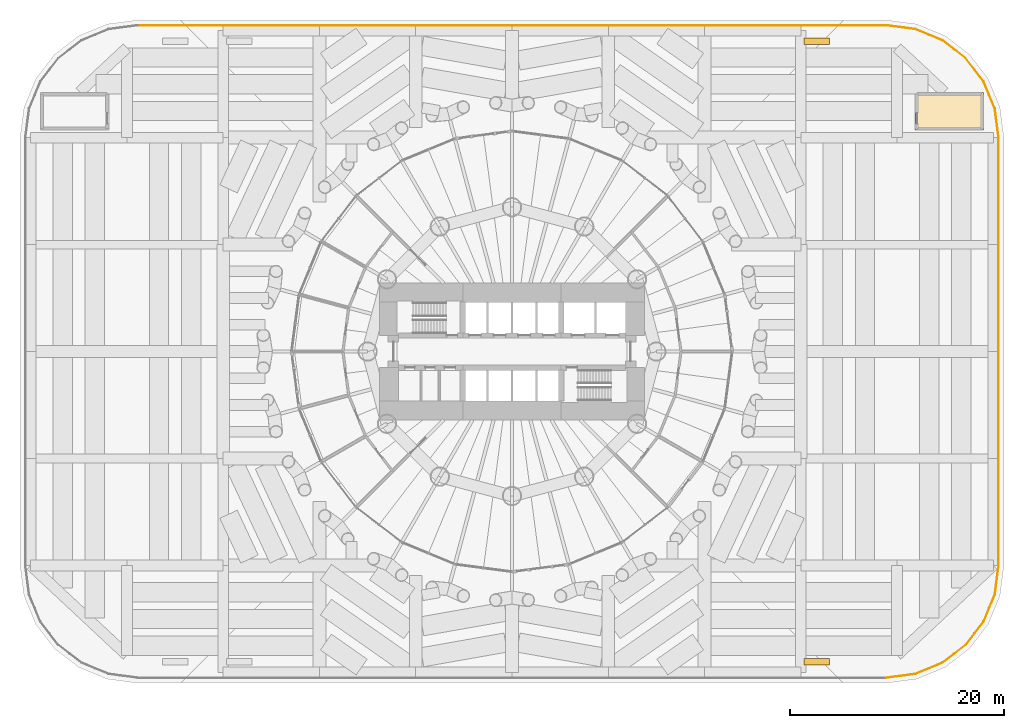
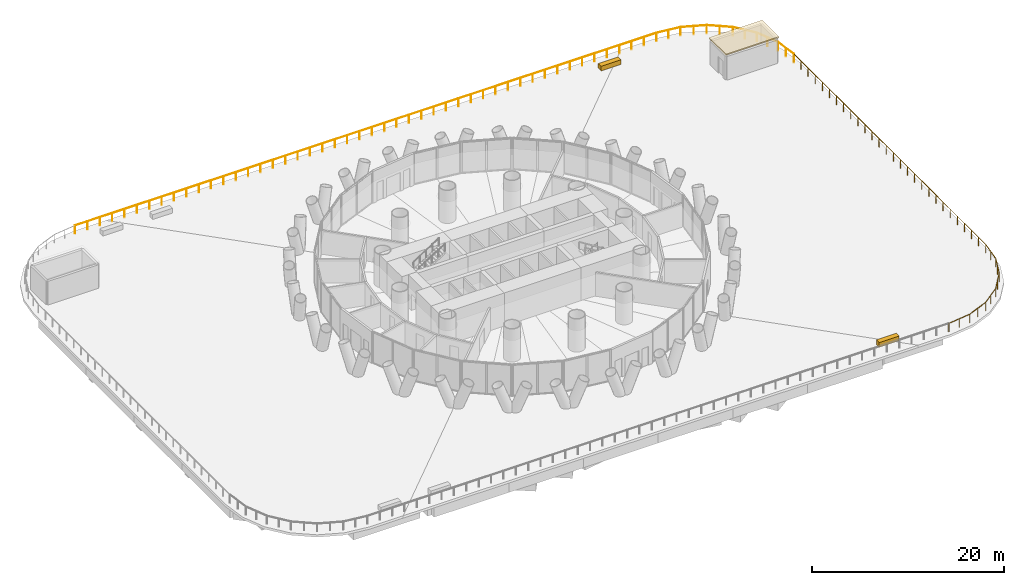
# One storey, part 19 of 19: 3 coverings, 2 railings.
"""IFC4 building model written with IfcOpenShell, lengths in metres."""

from ifc_helpers import new_model, si_unit, direction, frame, origin, origin_2d, place, context, subcontext, project, spatial, polyline, rectangle, circle, outline, extrude, material, layer, layer_set, type_object, element, save


model = new_model("IFC4")

# Units and contexts
model_context = context("Model", 3, precision=1e-05, world=origin(), true_north=direction((0.0, 1.0)))
body_context = subcontext(model_context, "Body", "Model", "MODEL_VIEW")
ifc_project = project(units=[si_unit("LENGTHUNIT", "METRE"), si_unit("AREAUNIT", "SQUARE_METRE"), si_unit("VOLUMEUNIT", "CUBIC_METRE"), si_unit("PLANEANGLEUNIT", "RADIAN"), si_unit("MASSUNIT", "GRAM", prefix="KILO")], contexts=[model_context])

# Site, building, storey
site_placement = place(None, origin())
site = spatial("IfcSite", under=ifc_project, at=site_placement, CompositionType="ELEMENT")
building_placement = place(site_placement, origin())
building = spatial("IfcBuilding", under=site, at=building_placement, Name="Qaws Media Tower", CompositionType="ELEMENT")
storey_placement = place(building_placement, frame((0.0, 0.0, 26.0)))
storey = spatial("IfcBuildingStorey", under=building, at=storey_placement, Name="L04", CompositionType="ELEMENT", Elevation=26.0)

# Railings
ifc_material_1 = material(Name="Stainless steel and glass guard", Category="steel")
railing_type = type_object("IfcRailingType", Name="Balcony guard 1100", PredefinedType="GUARDRAIL", material=ifc_material_1)
railing_1_placement = place(storey_placement, frame((95.0, 19.5, 0.0)))
element("IfcRailing", 1, at=railing_1_placement, inside=storey, type_object=railing_type, Name="GR1 roof garden guard 1", PredefinedType="GUARDRAIL", context=body_context, shape_type="SweptSolid", body=[
    extrude(circle(Radius=0.02392578125, at=origin_2d()), frame((0.0, 0.0, 1.076171875), z_axis=(0.991449747406, 0.130489073753, 0.0), x_axis=(-0.130489073753, 0.991449747406, 0.0)), (0.0, 0.0, 1.0), 2.740966796875),
    extrude(circle(Radius=0.02392578125, at=origin_2d()), frame((2.717529296875, 0.357666015625, 1.076171875), z_axis=(0.923868110443, 0.382711006514, 0.0), x_axis=(-0.382711006514, 0.923868110443, 0.0)), (0.0, 0.0, 1.0), 2.7412109375),
    extrude(circle(Radius=0.02392578125, at=origin_2d()), frame((5.25, 1.40673828125, 1.076171875), z_axis=(0.793335336593, 0.608784891166, 0.0), x_axis=(-0.608784891166, 0.793335336593, 0.0)), (0.0, 0.0, 1.0), 2.740966796875),
    extrude(circle(Radius=0.02392578125, at=origin_2d()), frame((7.424560546875, 3.075439453125, 1.076171875), z_axis=(0.608784891166, 0.793335336593, 0.0), x_axis=(-0.793335336593, 0.608784891166, 0.0)), (0.0, 0.0, 1.0), 2.740966796875),
    extrude(circle(Radius=0.02392578125, at=origin_2d()), frame((9.09326171875, 5.25, 1.076171875), z_axis=(0.382711006514, 0.923868110443, 0.0), x_axis=(-0.923868110443, 0.382711006514, 0.0)), (0.0, 0.0, 1.0), 2.7412109375),
    extrude(circle(Radius=0.02392578125, at=origin_2d()), frame((10.142333984375, 7.782470703125, 1.076171875), z_axis=(0.130489073753, 0.991449747406, 0.0), x_axis=(-0.991449747406, 0.130489073753, 0.0)), (0.0, 0.0, 1.0), 2.740966796875),
    extrude(circle(Radius=0.02392578125, at=origin_2d()), frame((10.5, 10.5, 1.076171875), z_axis=(0.0, 1.0, 0.0), x_axis=(-1.0, 0.0, 0.0)), (0.0, 0.0, 1.0), 40.0),
    extrude(circle(Radius=0.02099609375, at=origin_2d()), origin(), (0.0, 0.0, 1.0), 1.052001953125),
    extrude(circle(Radius=0.02099609375, at=origin_2d()), frame((1.35888671875, 0.1787109375, 0.0)), (0.0, 0.0, 1.0), 1.052001953125),
    extrude(circle(Radius=0.02099609375, at=origin_2d()), frame((2.717529296875, 0.357666015625, 0.0)), (0.0, 0.0, 1.0), 1.052001953125),
    extrude(circle(Radius=0.02099609375, at=origin_2d()), frame((3.98388671875, 0.88232421875, 0.0)), (0.0, 0.0, 1.0), 1.052001953125),
    extrude(circle(Radius=0.02099609375, at=origin_2d()), frame((5.25, 1.40673828125, 0.0)), (0.0, 0.0, 1.0), 1.052001953125),
    extrude(circle(Radius=0.02099609375, at=origin_2d()), frame((6.33740234375, 2.2412109375, 0.0)), (0.0, 0.0, 1.0), 1.052001953125),
    extrude(circle(Radius=0.02099609375, at=origin_2d()), frame((7.424560546875, 3.075439453125, 0.0)), (0.0, 0.0, 1.0), 1.052001953125),
    extrude(circle(Radius=0.02099609375, at=origin_2d()), frame((8.2587890625, 4.16259765625, 0.0)), (0.0, 0.0, 1.0), 1.052001953125),
    extrude(circle(Radius=0.02099609375, at=origin_2d()), frame((9.09326171875, 5.25, 0.0)), (0.0, 0.0, 1.0), 1.052001953125),
    extrude(circle(Radius=0.02099609375, at=origin_2d()), frame((9.61767578125, 6.51611328125, 0.0)), (0.0, 0.0, 1.0), 1.052001953125),
    extrude(circle(Radius=0.02099609375, at=origin_2d()), frame((10.142333984375, 7.782470703125, 0.0)), (0.0, 0.0, 1.0), 1.052001953125),
    extrude(circle(Radius=0.02099609375, at=origin_2d()), frame((10.3212890625, 9.14111328125, 0.0)), (0.0, 0.0, 1.0), 1.052001953125),
    extrude(circle(Radius=0.02099609375, at=origin_2d()), frame((10.5, 10.5, 0.0)), (0.0, 0.0, 1.0), 1.052001953125),
    extrude(circle(Radius=0.02099609375, at=origin_2d()), frame((10.5, 11.9814453125, 0.0)), (0.0, 0.0, 1.0), 1.052001953125),
    extrude(circle(Radius=0.02099609375, at=origin_2d()), frame((10.5, 13.462890625, 0.0)), (0.0, 0.0, 1.0), 1.052001953125),
    extrude(circle(Radius=0.02099609375, at=origin_2d()), frame((10.5, 14.9443359375, 0.0)), (0.0, 0.0, 1.0), 1.052001953125),
    extrude(circle(Radius=0.02099609375, at=origin_2d()), frame((10.5, 16.426025390625, 0.0)), (0.0, 0.0, 1.0), 1.052001953125),
    extrude(circle(Radius=0.02099609375, at=origin_2d()), frame((10.5, 17.907470703125, 0.0)), (0.0, 0.0, 1.0), 1.052001953125),
    extrude(circle(Radius=0.02099609375, at=origin_2d()), frame((10.5, 19.388916015625, 0.0)), (0.0, 0.0, 1.0), 1.052001953125),
    extrude(circle(Radius=0.02099609375, at=origin_2d()), frame((10.5, 20.870361328125, 0.0)), (0.0, 0.0, 1.0), 1.052001953125),
    extrude(circle(Radius=0.02099609375, at=origin_2d()), frame((10.5, 22.351806640625, 0.0)), (0.0, 0.0, 1.0), 1.052001953125),
    extrude(circle(Radius=0.02099609375, at=origin_2d()), frame((10.5, 23.833251953125, 0.0)), (0.0, 0.0, 1.0), 1.052001953125),
    extrude(circle(Radius=0.02099609375, at=origin_2d()), frame((10.5, 25.314697265625, 0.0)), (0.0, 0.0, 1.0), 1.052001953125),
    extrude(circle(Radius=0.02099609375, at=origin_2d()), frame((10.5, 26.79638671875, 0.0)), (0.0, 0.0, 1.0), 1.052001953125),
    extrude(circle(Radius=0.02099609375, at=origin_2d()), frame((10.5, 28.27783203125, 0.0)), (0.0, 0.0, 1.0), 1.052001953125),
    extrude(circle(Radius=0.02099609375, at=origin_2d()), frame((10.5, 29.75927734375, 0.0)), (0.0, 0.0, 1.0), 1.052001953125),
    extrude(circle(Radius=0.02099609375, at=origin_2d()), frame((10.5, 31.24072265625, 0.0)), (0.0, 0.0, 1.0), 1.052001953125),
    extrude(circle(Radius=0.02099609375, at=origin_2d()), frame((10.5, 32.72216796875, 0.0)), (0.0, 0.0, 1.0), 1.052001953125),
    extrude(circle(Radius=0.02099609375, at=origin_2d()), frame((10.5, 34.20361328125, 0.0)), (0.0, 0.0, 1.0), 1.052001953125),
    extrude(circle(Radius=0.02099609375, at=origin_2d()), frame((10.5, 35.685302734375, 0.0)), (0.0, 0.0, 1.0), 1.052001953125),
    extrude(circle(Radius=0.02099609375, at=origin_2d()), frame((10.5, 37.166748046875, 0.0)), (0.0, 0.0, 1.0), 1.052001953125),
    extrude(circle(Radius=0.02099609375, at=origin_2d()), frame((10.5, 38.648193359375, 0.0)), (0.0, 0.0, 1.0), 1.052001953125),
    extrude(circle(Radius=0.02099609375, at=origin_2d()), frame((10.5, 40.129638671875, 0.0)), (0.0, 0.0, 1.0), 1.052001953125),
    extrude(circle(Radius=0.02099609375, at=origin_2d()), frame((10.5, 41.611083984375, 0.0)), (0.0, 0.0, 1.0), 1.052001953125),
    extrude(circle(Radius=0.02099609375, at=origin_2d()), frame((10.5, 43.092529296875, 0.0)), (0.0, 0.0, 1.0), 1.052001953125),
    extrude(circle(Radius=0.02099609375, at=origin_2d()), frame((10.5, 44.573974609375, 0.0)), (0.0, 0.0, 1.0), 1.052001953125),
    extrude(circle(Radius=0.02099609375, at=origin_2d()), frame((10.5, 46.0556640625, 0.0)), (0.0, 0.0, 1.0), 1.052001953125),
    extrude(circle(Radius=0.02099609375, at=origin_2d()), frame((10.5, 47.537109375, 0.0)), (0.0, 0.0, 1.0), 1.052001953125),
    extrude(circle(Radius=0.02099609375, at=origin_2d()), frame((10.5, 49.0185546875, 0.0)), (0.0, 0.0, 1.0), 1.052001953125),
    extrude(circle(Radius=0.02099609375, at=origin_2d()), frame((10.5, 50.5, 0.0)), (0.0, 0.0, 1.0), 1.052001953125),
])
railing_2_placement = place(storey_placement, frame((105.5, 70.0, 0.0)))
element("IfcRailing", 2, at=railing_2_placement, inside=storey, type_object=railing_type, Name="GR1 roof garden guard 2", PredefinedType="GUARDRAIL", context=body_context, shape_type="SweptSolid", body=[
    extrude(circle(Radius=0.02392578125, at=origin_2d()), frame((0.0, 0.0, 1.076171875), z_axis=(-0.130489073753, 0.991449747406, 0.0), x_axis=(-0.991449747406, -0.130489073753, 0.0)), (0.0, 0.0, 1.0), 2.740966796875),
    extrude(circle(Radius=0.02392578125, at=origin_2d()), frame((-0.357666015625, 2.717529296875, 1.076171875), z_axis=(-0.382711006514, 0.923868110443, 0.0), x_axis=(-0.923868110443, -0.382711006514, 0.0)), (0.0, 0.0, 1.0), 2.7412109375),
    extrude(circle(Radius=0.02392578125, at=origin_2d()), frame((-1.40673828125, 5.25, 1.076171875), z_axis=(-0.608784891166, 0.793335336593, 0.0), x_axis=(-0.793335336593, -0.608784891166, 0.0)), (0.0, 0.0, 1.0), 2.740966796875),
    extrude(circle(Radius=0.02392578125, at=origin_2d()), frame((-3.075439453125, 7.424560546875, 1.076171875), z_axis=(-0.793335336593, 0.608784891166, 0.0), x_axis=(-0.608784891166, -0.793335336593, 0.0)), (0.0, 0.0, 1.0), 2.740966796875),
    extrude(circle(Radius=0.02392578125, at=origin_2d()), frame((-5.25, 9.09326171875, 1.076171875), z_axis=(-0.923868110443, 0.382711006514, 0.0), x_axis=(-0.382711006514, -0.923868110443, 0.0)), (0.0, 0.0, 1.0), 2.7412109375),
    extrude(circle(Radius=0.02392578125, at=origin_2d()), frame((-7.782470703125, 10.142333984375, 1.076171875), z_axis=(-0.991449747406, 0.130489073753, 0.0), x_axis=(-0.130489073753, -0.991449747406, 0.0)), (0.0, 0.0, 1.0), 2.740966796875),
    extrude(circle(Radius=0.02392578125, at=origin_2d()), frame((-10.5, 10.5, 1.076171875), z_axis=(-1.0, 0.0, 0.0), x_axis=(0.0, -1.0, 0.0)), (0.0, 0.0, 1.0), 70.0),
    extrude(circle(Radius=0.02099609375, at=origin_2d()), origin(), (0.0, 0.0, 1.0), 1.052001953125),
    extrude(circle(Radius=0.02099609375, at=origin_2d()), frame((-0.1787109375, 1.35888671875, 0.0)), (0.0, 0.0, 1.0), 1.052001953125),
    extrude(circle(Radius=0.02099609375, at=origin_2d()), frame((-0.357666015625, 2.717529296875, 0.0)), (0.0, 0.0, 1.0), 1.052001953125),
    extrude(circle(Radius=0.02099609375, at=origin_2d()), frame((-0.88232421875, 3.98388671875, 0.0)), (0.0, 0.0, 1.0), 1.052001953125),
    extrude(circle(Radius=0.02099609375, at=origin_2d()), frame((-1.40673828125, 5.25, 0.0)), (0.0, 0.0, 1.0), 1.052001953125),
    extrude(circle(Radius=0.02099609375, at=origin_2d()), frame((-2.2412109375, 6.33740234375, 0.0)), (0.0, 0.0, 1.0), 1.052001953125),
    extrude(circle(Radius=0.02099609375, at=origin_2d()), frame((-3.075439453125, 7.424560546875, 0.0)), (0.0, 0.0, 1.0), 1.052001953125),
    extrude(circle(Radius=0.02099609375, at=origin_2d()), frame((-4.16259765625, 8.2587890625, 0.0)), (0.0, 0.0, 1.0), 1.052001953125),
    extrude(circle(Radius=0.02099609375, at=origin_2d()), frame((-5.25, 9.09326171875, 0.0)), (0.0, 0.0, 1.0), 1.052001953125),
    extrude(circle(Radius=0.02099609375, at=origin_2d()), frame((-6.51611328125, 9.61767578125, 0.0)), (0.0, 0.0, 1.0), 1.052001953125),
    extrude(circle(Radius=0.02099609375, at=origin_2d()), frame((-7.782470703125, 10.142333984375, 0.0)), (0.0, 0.0, 1.0), 1.052001953125),
    extrude(circle(Radius=0.02099609375, at=origin_2d()), frame((-9.14111328125, 10.3212890625, 0.0)), (0.0, 0.0, 1.0), 1.052001953125),
    extrude(circle(Radius=0.02099609375, at=origin_2d()), frame((-10.5, 10.5, 0.0)), (0.0, 0.0, 1.0), 1.052001953125),
    extrude(circle(Radius=0.02099609375, at=origin_2d()), frame((-11.9892578125, 10.5, 0.0)), (0.0, 0.0, 1.0), 1.052001953125),
    extrude(circle(Radius=0.02099609375, at=origin_2d()), frame((-13.478759765625, 10.5, 0.0)), (0.0, 0.0, 1.0), 1.052001953125),
    extrude(circle(Radius=0.02099609375, at=origin_2d()), frame((-14.968017578125, 10.5, 0.0)), (0.0, 0.0, 1.0), 1.052001953125),
    extrude(circle(Radius=0.02099609375, at=origin_2d()), frame((-16.45751953125, 10.5, 0.0)), (0.0, 0.0, 1.0), 1.052001953125),
    extrude(circle(Radius=0.02099609375, at=origin_2d()), frame((-17.94677734375, 10.5, 0.0)), (0.0, 0.0, 1.0), 1.052001953125),
    extrude(circle(Radius=0.02099609375, at=origin_2d()), frame((-19.436279296875, 10.5, 0.0)), (0.0, 0.0, 1.0), 1.052001953125),
    extrude(circle(Radius=0.02099609375, at=origin_2d()), frame((-20.925537109375, 10.5, 0.0)), (0.0, 0.0, 1.0), 1.052001953125),
    extrude(circle(Radius=0.02099609375, at=origin_2d()), frame((-22.414794921875, 10.5, 0.0)), (0.0, 0.0, 1.0), 1.052001953125),
    extrude(circle(Radius=0.02099609375, at=origin_2d()), frame((-23.904296875, 10.5, 0.0)), (0.0, 0.0, 1.0), 1.052001953125),
    extrude(circle(Radius=0.02099609375, at=origin_2d()), frame((-25.3935546875, 10.5, 0.0)), (0.0, 0.0, 1.0), 1.052001953125),
    extrude(circle(Radius=0.02099609375, at=origin_2d()), frame((-26.883056640625, 10.5, 0.0)), (0.0, 0.0, 1.0), 1.052001953125),
    extrude(circle(Radius=0.02099609375, at=origin_2d()), frame((-28.372314453125, 10.5, 0.0)), (0.0, 0.0, 1.0), 1.052001953125),
    extrude(circle(Radius=0.02099609375, at=origin_2d()), frame((-29.86181640625, 10.5, 0.0)), (0.0, 0.0, 1.0), 1.052001953125),
    extrude(circle(Radius=0.02099609375, at=origin_2d()), frame((-31.35107421875, 10.5, 0.0)), (0.0, 0.0, 1.0), 1.052001953125),
    extrude(circle(Radius=0.02099609375, at=origin_2d()), frame((-32.84033203125, 10.5, 0.0)), (0.0, 0.0, 1.0), 1.052001953125),
    extrude(circle(Radius=0.02099609375, at=origin_2d()), frame((-34.329833984375, 10.5, 0.0)), (0.0, 0.0, 1.0), 1.052001953125),
    extrude(circle(Radius=0.02099609375, at=origin_2d()), frame((-35.819091796875, 10.5, 0.0)), (0.0, 0.0, 1.0), 1.052001953125),
    extrude(circle(Radius=0.02099609375, at=origin_2d()), frame((-37.30859375, 10.5, 0.0)), (0.0, 0.0, 1.0), 1.052001953125),
    extrude(circle(Radius=0.02099609375, at=origin_2d()), frame((-38.7978515625, 10.5, 0.0)), (0.0, 0.0, 1.0), 1.052001953125),
    extrude(circle(Radius=0.02099609375, at=origin_2d()), frame((-40.287353515625, 10.5, 0.0)), (0.0, 0.0, 1.0), 1.052001953125),
    extrude(circle(Radius=0.02099609375, at=origin_2d()), frame((-41.776611328125, 10.5, 0.0)), (0.0, 0.0, 1.0), 1.052001953125),
    extrude(circle(Radius=0.02099609375, at=origin_2d()), frame((-43.265869140625, 10.5, 0.0)), (0.0, 0.0, 1.0), 1.052001953125),
    extrude(circle(Radius=0.02099609375, at=origin_2d()), frame((-44.75537109375, 10.5, 0.0)), (0.0, 0.0, 1.0), 1.052001953125),
    extrude(circle(Radius=0.02099609375, at=origin_2d()), frame((-46.24462890625, 10.5, 0.0)), (0.0, 0.0, 1.0), 1.052001953125),
    extrude(circle(Radius=0.02099609375, at=origin_2d()), frame((-47.734130859375, 10.5, 0.0)), (0.0, 0.0, 1.0), 1.052001953125),
    extrude(circle(Radius=0.02099609375, at=origin_2d()), frame((-49.223388671875, 10.5, 0.0)), (0.0, 0.0, 1.0), 1.052001953125),
    extrude(circle(Radius=0.02099609375, at=origin_2d()), frame((-50.712646484375, 10.5, 0.0)), (0.0, 0.0, 1.0), 1.052001953125),
    extrude(circle(Radius=0.02099609375, at=origin_2d()), frame((-52.2021484375, 10.5, 0.0)), (0.0, 0.0, 1.0), 1.052001953125),
    extrude(circle(Radius=0.02099609375, at=origin_2d()), frame((-53.69140625, 10.5, 0.0)), (0.0, 0.0, 1.0), 1.052001953125),
    extrude(circle(Radius=0.02099609375, at=origin_2d()), frame((-55.180908203125, 10.5, 0.0)), (0.0, 0.0, 1.0), 1.052001953125),
    extrude(circle(Radius=0.02099609375, at=origin_2d()), frame((-56.670166015625, 10.5, 0.0)), (0.0, 0.0, 1.0), 1.052001953125),
    extrude(circle(Radius=0.02099609375, at=origin_2d()), frame((-58.15966796875, 10.5, 0.0)), (0.0, 0.0, 1.0), 1.052001953125),
    extrude(circle(Radius=0.02099609375, at=origin_2d()), frame((-59.64892578125, 10.5, 0.0)), (0.0, 0.0, 1.0), 1.052001953125),
    extrude(circle(Radius=0.02099609375, at=origin_2d()), frame((-61.13818359375, 10.5, 0.0)), (0.0, 0.0, 1.0), 1.052001953125),
    extrude(circle(Radius=0.02099609375, at=origin_2d()), frame((-62.627685546875, 10.5, 0.0)), (0.0, 0.0, 1.0), 1.052001953125),
    extrude(circle(Radius=0.02099609375, at=origin_2d()), frame((-64.116943359375, 10.5, 0.0)), (0.0, 0.0, 1.0), 1.052001953125),
    extrude(circle(Radius=0.02099609375, at=origin_2d()), frame((-65.6064453125, 10.5, 0.0)), (0.0, 0.0, 1.0), 1.052001953125),
    extrude(circle(Radius=0.02099609375, at=origin_2d()), frame((-67.095703125, 10.5, 0.0)), (0.0, 0.0, 1.0), 1.052001953125),
    extrude(circle(Radius=0.02099609375, at=origin_2d()), frame((-68.585205078125, 10.5, 0.0)), (0.0, 0.0, 1.0), 1.052001953125),
    extrude(circle(Radius=0.02099609375, at=origin_2d()), frame((-70.074462890625, 10.5, 0.0)), (0.0, 0.0, 1.0), 1.052001953125),
    extrude(circle(Radius=0.02099609375, at=origin_2d()), frame((-71.563720703125, 10.5, 0.0)), (0.0, 0.0, 1.0), 1.052001953125),
    extrude(circle(Radius=0.02099609375, at=origin_2d()), frame((-73.05322265625, 10.5, 0.0)), (0.0, 0.0, 1.0), 1.052001953125),
    extrude(circle(Radius=0.02099609375, at=origin_2d()), frame((-74.54248046875, 10.5, 0.0)), (0.0, 0.0, 1.0), 1.052001953125),
    extrude(circle(Radius=0.02099609375, at=origin_2d()), frame((-76.031982421875, 10.5, 0.0)), (0.0, 0.0, 1.0), 1.052001953125),
    extrude(circle(Radius=0.02099609375, at=origin_2d()), frame((-77.521240234375, 10.5, 0.0)), (0.0, 0.0, 1.0), 1.052001953125),
    extrude(circle(Radius=0.02099609375, at=origin_2d()), frame((-79.0107421875, 10.5, 0.0)), (0.0, 0.0, 1.0), 1.052001953125),
    extrude(circle(Radius=0.02099609375, at=origin_2d()), frame((-80.5, 10.5, 0.0)), (0.0, 0.0, 1.0), 1.052001953125),
])

# Coverings
ifc_material_2 = material(Name="Single-ply membrane on 100 PIR insulation on vapour control layer", Category="membrane")
ifc_layer_1 = layer(ifc_material_2, 0.14990234375)
ifc_layer_set_1 = layer_set([ifc_layer_1], Name="Head-house roofing 150")
covering_type_1 = type_object("IfcCoveringType", Name="Head-house roofing 150", PredefinedType="ROOFING", material=ifc_layer_set_1)
covering_placement = place(storey_placement, frame((0.0, 0.0, 3.199951171875)))
element("IfcCovering", 3, at=covering_placement, inside=storey, type_object=covering_type_1, Name="RF2 stair S4 head-house roofing", PredefinedType="ROOFING", context=body_context, shape_type="SweptSolid", body=[
    extrude(outline(polyline([(97.699951171875, 70.699951171875), (104.10009765625, 70.699951171875), (104.10009765625, 74.199951171875), (97.699951171875, 74.199951171875), (97.699951171875, 70.699951171875)])), origin(), (0.0, 0.0, 1.0), 0.150146484375),
])
ifc_material_3 = material(Name="Precast concrete planter with trailing planting", Category="concrete")
ifc_layer_2 = layer(ifc_material_3, 0.60009765625)
ifc_layer_set_2 = layer_set([ifc_layer_2], Name="Planter 2400x600")
covering_type_2 = type_object("IfcCoveringType", Name="Planter 2400x600", PredefinedType="USERDEFINED", material=ifc_layer_set_2)
for number, where, z_axis, x_axis, name in (
    (4, (88.5, 21.0, 0.0), (0.0, 0.0, 1.0), (1.0, 0.0, 0.0), "PL1 roof garden planter 3"),
    (5, (88.5, 79.0, 0.0), (0.0, 0.0, 1.0), (1.0, 0.0, 0.0), "PL1 roof garden planter 6"),
):
    element("IfcCovering", number, at=place(storey_placement, frame(where, z_axis=z_axis, x_axis=x_axis)), inside=storey, type_object=covering_type_2, Name=name, ObjectType="PLANTER", PredefinedType="USERDEFINED", context=body_context, shape_type="SweptSolid", body=[
        extrude(rectangle(XDim=2.39990234375, YDim=0.60009765625, at=origin_2d()), origin(), (0.0, 0.0, 1.0), 0.60009765625),
    ])

save(model, "model.ifc")
